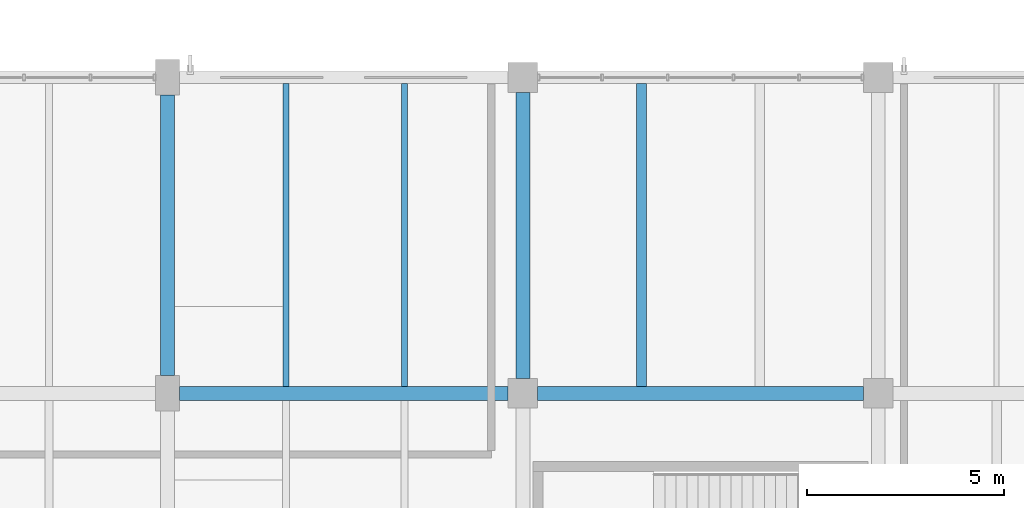
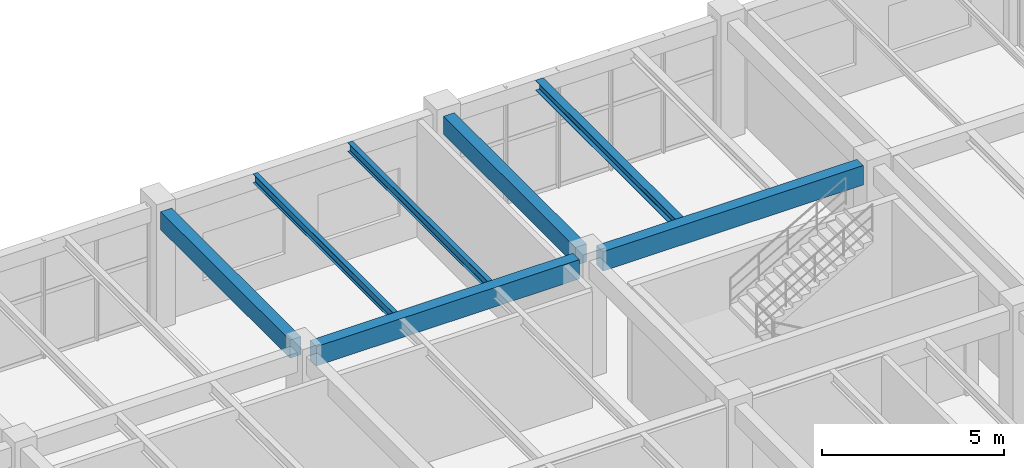
# One storey, part 94 of 128: 7 beams.
"""IFC4 building model written with IfcOpenShell, lengths in metres."""

from ifc_helpers import new_model, si_unit, derived_unit, direction, frame, origin, origin_2d, place, context, subcontext, project, spatial, rectangle, i_section, extrude, material, material_profile, profile_set, type_object, element, save


model = new_model("IFC4")

# Units and contexts
model_context = context("Model", 3, precision=1e-05, world=origin(), true_north=direction((0.0, 1.0)))
body_context = subcontext(model_context, "Body", "Model", "MODEL_VIEW")
ifc_project = project(units=[si_unit("LENGTHUNIT", "METRE"), si_unit("AREAUNIT", "SQUARE_METRE"), si_unit("VOLUMEUNIT", "CUBIC_METRE"), si_unit("PLANEANGLEUNIT", "RADIAN"), si_unit("MASSUNIT", "GRAM", prefix="KILO"), derived_unit("THERMALTRANSMITTANCEUNIT", [(si_unit("MASSUNIT", "GRAM", prefix="KILO"), 1), (si_unit("TIMEUNIT", "SECOND"), -3), (si_unit("THERMODYNAMICTEMPERATUREUNIT", "KELVIN"), -1)])], contexts=[model_context])

# Site, building, storey
site_placement = place(None, origin())
site = spatial("IfcSite", under=ifc_project, at=site_placement, CompositionType="ELEMENT")
building_placement = place(site_placement, origin())
building = spatial("IfcBuilding", under=site, at=building_placement, Name="Zhenchuan Archway Interchange", CompositionType="ELEMENT")
storey_placement = place(building_placement, frame((0.0, 0.0, 14.39990234375)))
storey = spatial("IfcBuildingStorey", under=building, at=storey_placement, Name="L03", CompositionType="ELEMENT", Elevation=14.39990234375)

# Beams
ifc_material_1 = material(Name="Concrete C40", Category="concrete")
ifc_material_profile_1 = material_profile(ifc_material_1, rectangle(XDim=0.35009765625, YDim=0.60009765625, at=origin_2d()), Name="RC 350x600")
ifc_profile_set_1 = profile_set([ifc_material_profile_1], Name="Concrete C40")
beam_type_1 = type_object("IfcBeamType", Name="BM_RC_350x600", PredefinedType="BEAM", material=ifc_profile_set_1)
beam_1_placement = place(storey_placement, frame((144.0, 96.449951171875, 3.630126953125), z_axis=(0.0, 1.0, 0.0), x_axis=(-1.0, 0.0, 0.0)))
element("IfcBeam", 1, at=beam_1_placement, inside=storey, type_object=beam_type_1, Name="Beam 17:N-O (L03)", PredefinedType="BEAM", context=body_context, shape_type="SweptSolid", body=[
    extrude(rectangle(XDim=0.35009765625, YDim=0.60009765625, at=origin_2d()), origin(), (0.0, 0.0, 1.0), 7.10009765625),
])
beam_2_placement = place(storey_placement, frame((153.0, 96.375, 3.630126953125), z_axis=(0.0, 1.0, 0.0), x_axis=(-1.0, 0.0, 0.0)))
element("IfcBeam", 2, at=beam_2_placement, inside=storey, type_object=beam_type_1, Name="Beam 18:N-O (L03)", PredefinedType="BEAM", context=body_context, shape_type="SweptSolid", body=[
    extrude(rectangle(XDim=0.35009765625, YDim=0.60009765625, at=origin_2d()), origin(), (0.0, 0.0, 1.0), 7.25),
])
ifc_material_profile_2 = material_profile(ifc_material_1, rectangle(XDim=0.35009765625, YDim=0.64990234375, at=origin_2d()), Name="RC 350x650")
ifc_profile_set_2 = profile_set([ifc_material_profile_2], Name="Concrete C40")
beam_type_2 = type_object("IfcBeamType", Name="BM_RC_350x650", PredefinedType="BEAM", material=ifc_profile_set_2)
beam_3_placement = place(storey_placement, frame((144.300048828125, 96.0, 3.60498046875), z_axis=(1.0, 0.0, 0.0), x_axis=(0.0, 1.0, 0.0)))
element("IfcBeam", 3, at=beam_3_placement, inside=storey, type_object=beam_type_2, Name="Beam N:17-18 (L03)", PredefinedType="BEAM", context=body_context, shape_type="SweptSolid", body=[
    extrude(rectangle(XDim=0.35009765625, YDim=0.64990234375, at=origin_2d()), origin(), (0.0, 0.0, 1.0), 8.324951171875),
])
beam_4_placement = place(storey_placement, frame((153.375, 96.0, 3.60498046875), z_axis=(1.0, 0.0, 0.0), x_axis=(0.0, 1.0, 0.0)))
element("IfcBeam", 4, at=beam_4_placement, inside=storey, type_object=beam_type_2, Name="Beam N:18-19 (L03)", PredefinedType="BEAM", context=body_context, shape_type="SweptSolid", body=[
    extrude(rectangle(XDim=0.35009765625, YDim=0.64990234375, at=origin_2d()), origin(), (0.0, 0.0, 1.0), 8.25),
])
ifc_material_2 = material(Name="Steel Q355", Category="steel")
ifc_material_profile_3 = material_profile(ifc_material_2, i_section(OverallWidth=0.25, OverallDepth=0.340087890625, WebThickness=0.009033203125, FlangeThickness=0.013916015625, FilletRadius=0.01806640625, at=origin_2d()), Name="HM 340x250")
ifc_profile_set_3 = profile_set([ifc_material_profile_3], Name="Steel Q355")
beam_type_3 = type_object("IfcBeamType", Name="JST_STL_HM340", PredefinedType="JOIST", material=ifc_profile_set_3)
beam_5_placement = place(storey_placement, frame((156.0, 96.175048828125, 3.760009765625), z_axis=(0.0, 1.0, 0.0), x_axis=(-1.0, 0.0, 0.0)))
element("IfcBeam", 5, at=beam_5_placement, inside=storey, type_object=beam_type_3, Name="Secondary joist 18-19/N-O #1 (L03)", PredefinedType="JOIST", context=body_context, shape_type="SweptSolid", body=[
    extrude(i_section(OverallWidth=0.25, OverallDepth=0.340087890625, WebThickness=0.009033203125, FlangeThickness=0.013916015625, FilletRadius=0.01806640625, at=origin_2d()), origin(), (0.0, 0.0, 1.0), 7.675048828125),
])
ifc_material_profile_4 = material_profile(ifc_material_2, i_section(OverallWidth=0.14990234375, OverallDepth=0.300048828125, WebThickness=0.006591796875, FlangeThickness=0.009033203125, FilletRadius=0.012939453125, at=origin_2d()), Name="HN 300x150")
ifc_profile_set_4 = profile_set([ifc_material_profile_4], Name="Steel Q355")
beam_type_4 = type_object("IfcBeamType", Name="JST_STL_HN300", PredefinedType="JOIST", material=ifc_profile_set_4)
for number, where, z_axis, x_axis, name in (
    (6, (147.0, 96.175048828125, 3.780029296875), (0.0, 1.0, 0.0), (-1.0, 0.0, 0.0), "Secondary joist 17-18/N-O #1 (L03)"),
    (7, (150.0, 96.175048828125, 3.780029296875), (0.0, 1.0, 0.0), (-1.0, 0.0, 0.0), "Secondary joist 17-18/N-O #2 (L03)"),
):
    element("IfcBeam", number, at=place(storey_placement, frame(where, z_axis=z_axis, x_axis=x_axis)), inside=storey, type_object=beam_type_4, Name=name, PredefinedType="JOIST", context=body_context, shape_type="SweptSolid", body=[
        extrude(i_section(OverallWidth=0.14990234375, OverallDepth=0.300048828125, WebThickness=0.006591796875, FlangeThickness=0.009033203125, FilletRadius=0.012939453125, at=origin_2d()), origin(), (0.0, 0.0, 1.0), 7.675048828125),
    ])

save(model, "model.ifc")
